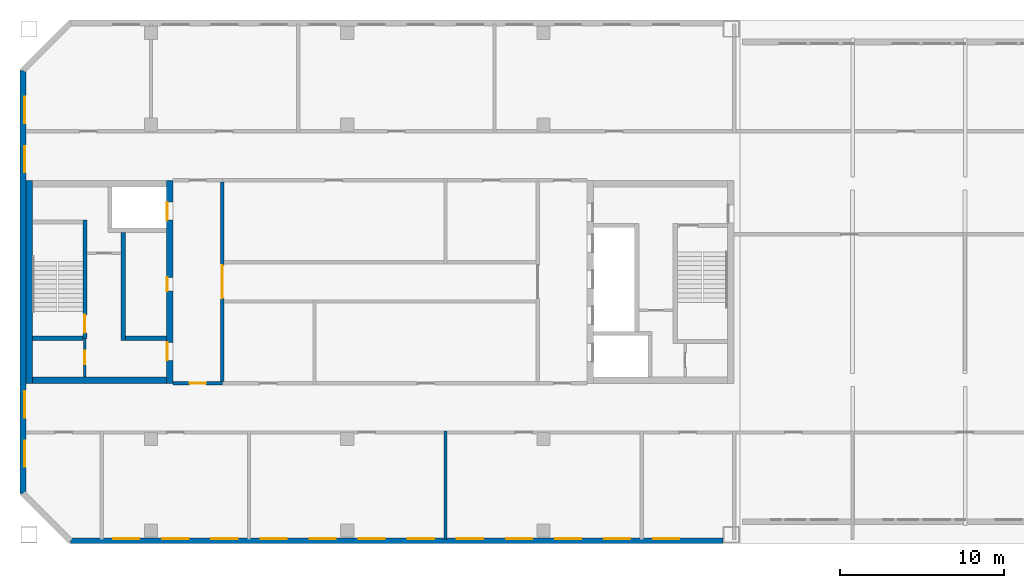
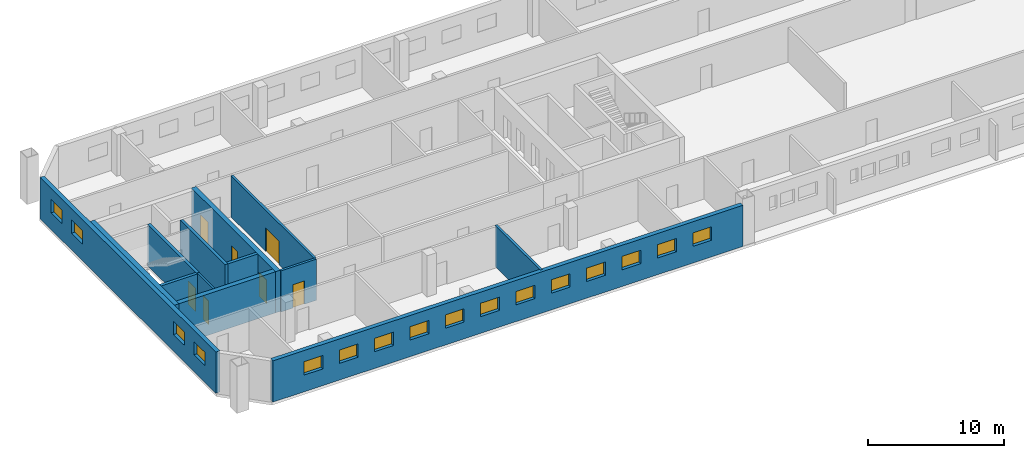
# One storey, part 2 of 13: 16 windows, 13 walls, 7 doors, 23 openings.
"""IFC4 building model written with IfcOpenShell, lengths in metres."""

from ifc_helpers import new_model, si_unit, direction, frame, frame_2d, origin, place, context, subcontext, project, spatial, rectangle, extrude, material, layer, layer_set, type_object, element, fill, save


model = new_model("IFC4")

# Units and contexts
model_context = context("Model", 3, precision=1e-05, world=origin(), true_north=direction((0.0, 1.0)))
body_context = subcontext(model_context, "Body", "Model", "MODEL_VIEW")
ifc_project = project(units=[si_unit("LENGTHUNIT", "METRE"), si_unit("AREAUNIT", "SQUARE_METRE"), si_unit("VOLUMEUNIT", "CUBIC_METRE"), si_unit("PLANEANGLEUNIT", "RADIAN"), si_unit("MASSUNIT", "GRAM", prefix="KILO")], contexts=[model_context])

# Site, building, storey
site_placement = place(None, origin())
site = spatial("IfcSite", under=ifc_project, at=site_placement, CompositionType="ELEMENT")
building_placement = place(site_placement, origin())
building = spatial("IfcBuilding", under=site, at=building_placement, Name="Tuart Gate Housing", CompositionType="ELEMENT")
storey_placement = place(building_placement, frame((0.0, 0.0, 198.60009765625)))
storey = spatial("IfcBuildingStorey", under=building, at=storey_placement, Name="L56", CompositionType="ELEMENT", Elevation=198.60009765625)

# Wall, openings, windows
ifc_material_1 = material(Name="Brick", Category="masonry")
ifc_layer_1 = layer(ifc_material_1, 0.360107421875)
ifc_layer_set_1 = layer_set([ifc_layer_1], Name="Brick pier and spandrel wall 360")
wall_type_1 = type_object("IfcWallType", Name="Brick pier and spandrel wall 360", PredefinedType="STANDARD", material=ifc_layer_set_1)
wall_1_placement = place(storey_placement, frame((35.07470703125, 54.179931640625, 0.0), z_axis=(0.0, 0.0, 1.0), x_axis=(1.0, 0.0, 0.0)))
wall_1 = element("IfcWall", 1, at=wall_1_placement, inside=storey, type_object=wall_type_1, Name="External wall BLK-S L56", PredefinedType="STANDARD", context=body_context, shape_type="SweptSolid", body=[
    extrude(rectangle(XDim=39.875244140625, YDim=0.360107421875, at=frame_2d((19.9375, 0.0))), origin(), (0.0, 0.0, 1.0), 3.699951171875),
])
opening_1_placement = place(wall_1_placement, frame((2.62548828125, 0.0, 1.5)))
opening_1 = element("IfcOpeningElement", 2, at=opening_1_placement, cuts=wall_1, Name="Opening W3", PredefinedType="OPENING", context=body_context, shape_type="SweptSolid", body=[
    extrude(rectangle(XDim=1.60009765625, YDim=1.199951171875, at=frame_2d((0.800048828125, 0.60009765625))), frame((0.0, 0.18994140625, 0.0), z_axis=(0.0, -1.0, 0.0), x_axis=(1.0, 0.0, 0.0)), (0.0, 0.0, 1.0), 0.380126953125),
])
opening_2_placement = place(wall_1_placement, frame((5.62548828125, 0.0, 1.5)))
opening_2 = element("IfcOpeningElement", 3, at=opening_2_placement, cuts=wall_1, Name="Opening W3", PredefinedType="OPENING", context=body_context, shape_type="SweptSolid", body=[
    extrude(rectangle(XDim=1.60009765625, YDim=1.199951171875, at=frame_2d((0.800048828125, 0.60009765625))), frame((0.0, 0.18994140625, 0.0), z_axis=(0.0, -1.0, 0.0), x_axis=(1.0, 0.0, 0.0)), (0.0, 0.0, 1.0), 0.380126953125),
])
opening_3_placement = place(wall_1_placement, frame((8.62548828125, 0.0, 1.5)))
opening_3 = element("IfcOpeningElement", 4, at=opening_3_placement, cuts=wall_1, Name="Opening W3", PredefinedType="OPENING", context=body_context, shape_type="SweptSolid", body=[
    extrude(rectangle(XDim=1.60009765625, YDim=1.199951171875, at=frame_2d((0.800048828125, 0.60009765625))), frame((0.0, 0.18994140625, 0.0), z_axis=(0.0, -1.0, 0.0), x_axis=(1.0, 0.0, 0.0)), (0.0, 0.0, 1.0), 0.380126953125),
])
opening_4_placement = place(wall_1_placement, frame((11.62548828125, 0.0, 1.5)))
opening_4 = element("IfcOpeningElement", 5, at=opening_4_placement, cuts=wall_1, Name="Opening W3", PredefinedType="OPENING", context=body_context, shape_type="SweptSolid", body=[
    extrude(rectangle(XDim=1.60009765625, YDim=1.199951171875, at=frame_2d((0.800048828125, 0.60009765625))), frame((0.0, 0.18994140625, 0.0), z_axis=(0.0, -1.0, 0.0), x_axis=(1.0, 0.0, 0.0)), (0.0, 0.0, 1.0), 0.380126953125),
])
opening_5_placement = place(wall_1_placement, frame((14.62548828125, 0.0, 1.5)))
opening_5 = element("IfcOpeningElement", 6, at=opening_5_placement, cuts=wall_1, Name="Opening W3", PredefinedType="OPENING", context=body_context, shape_type="SweptSolid", body=[
    extrude(rectangle(XDim=1.60009765625, YDim=1.199951171875, at=frame_2d((0.800048828125, 0.60009765625))), frame((0.0, 0.18994140625, 0.0), z_axis=(0.0, -1.0, 0.0), x_axis=(1.0, 0.0, 0.0)), (0.0, 0.0, 1.0), 0.380126953125),
])
opening_6_placement = place(wall_1_placement, frame((17.62548828125, 0.0, 1.5)))
opening_6 = element("IfcOpeningElement", 7, at=opening_6_placement, cuts=wall_1, Name="Opening W3", PredefinedType="OPENING", context=body_context, shape_type="SweptSolid", body=[
    extrude(rectangle(XDim=1.60009765625, YDim=1.199951171875, at=frame_2d((0.800048828125, 0.60009765625))), frame((0.0, 0.18994140625, 0.0), z_axis=(0.0, -1.0, 0.0), x_axis=(1.0, 0.0, 0.0)), (0.0, 0.0, 1.0), 0.380126953125),
])
opening_7_placement = place(wall_1_placement, frame((20.62548828125, 0.0, 1.5)))
opening_7 = element("IfcOpeningElement", 8, at=opening_7_placement, cuts=wall_1, Name="Opening W3", PredefinedType="OPENING", context=body_context, shape_type="SweptSolid", body=[
    extrude(rectangle(XDim=1.60009765625, YDim=1.199951171875, at=frame_2d((0.800048828125, 0.60009765625))), frame((0.0, 0.18994140625, 0.0), z_axis=(0.0, -1.0, 0.0), x_axis=(1.0, 0.0, 0.0)), (0.0, 0.0, 1.0), 0.380126953125),
])
opening_8_placement = place(wall_1_placement, frame((23.62548828125, 0.0, 1.5)))
opening_8 = element("IfcOpeningElement", 9, at=opening_8_placement, cuts=wall_1, Name="Opening W3", PredefinedType="OPENING", context=body_context, shape_type="SweptSolid", body=[
    extrude(rectangle(XDim=1.60009765625, YDim=1.199951171875, at=frame_2d((0.800048828125, 0.60009765625))), frame((0.0, 0.18994140625, 0.0), z_axis=(0.0, -1.0, 0.0), x_axis=(1.0, 0.0, 0.0)), (0.0, 0.0, 1.0), 0.380126953125),
])
opening_9_placement = place(wall_1_placement, frame((26.62548828125, 0.0, 1.5)))
opening_9 = element("IfcOpeningElement", 10, at=opening_9_placement, cuts=wall_1, Name="Opening W3", PredefinedType="OPENING", context=body_context, shape_type="SweptSolid", body=[
    extrude(rectangle(XDim=1.60009765625, YDim=1.199951171875, at=frame_2d((0.800048828125, 0.60009765625))), frame((0.0, 0.18994140625, 0.0), z_axis=(0.0, -1.0, 0.0), x_axis=(1.0, 0.0, 0.0)), (0.0, 0.0, 1.0), 0.380126953125),
])
opening_10_placement = place(wall_1_placement, frame((29.62548828125, 0.0, 1.5)))
opening_10 = element("IfcOpeningElement", 11, at=opening_10_placement, cuts=wall_1, Name="Opening W3", PredefinedType="OPENING", context=body_context, shape_type="SweptSolid", body=[
    extrude(rectangle(XDim=1.60009765625, YDim=1.199951171875, at=frame_2d((0.800048828125, 0.60009765625))), frame((0.0, 0.18994140625, 0.0), z_axis=(0.0, -1.0, 0.0), x_axis=(1.0, 0.0, 0.0)), (0.0, 0.0, 1.0), 0.380126953125),
])
opening_11_placement = place(wall_1_placement, frame((32.62548828125, 0.0, 1.5)))
opening_11 = element("IfcOpeningElement", 12, at=opening_11_placement, cuts=wall_1, Name="Opening W3", PredefinedType="OPENING", context=body_context, shape_type="SweptSolid", body=[
    extrude(rectangle(XDim=1.60009765625, YDim=1.199951171875, at=frame_2d((0.800048828125, 0.60009765625))), frame((0.0, 0.18994140625, 0.0), z_axis=(0.0, -1.0, 0.0), x_axis=(1.0, 0.0, 0.0)), (0.0, 0.0, 1.0), 0.380126953125),
])
opening_12_placement = place(wall_1_placement, frame((35.62548828125, 0.0, 1.5)))
opening_12 = element("IfcOpeningElement", 13, at=opening_12_placement, cuts=wall_1, Name="Opening W3", PredefinedType="OPENING", context=body_context, shape_type="SweptSolid", body=[
    extrude(rectangle(XDim=1.60009765625, YDim=1.199951171875, at=frame_2d((0.800048828125, 0.60009765625))), frame((0.0, 0.18994140625, 0.0), z_axis=(0.0, -1.0, 0.0), x_axis=(1.0, 0.0, 0.0)), (0.0, 0.0, 1.0), 0.380126953125),
])
ifc_material_2 = material(Name="Aluminium louvre blades", Category="aluminium")
window_type = type_object("IfcWindowType", Name="Louvre window 1600 x 1200", PartitioningType="DOUBLE_PANEL_HORIZONTAL", PredefinedType="WINDOW", material=ifc_material_2)
window_1_placement = place(opening_1_placement, origin())
window_1 = element("IfcWindow", 14, at=window_1_placement, inside=storey, type_object=window_type, Name="Louvre W3", OverallHeight=1.199951171875, OverallWidth=1.60009765625, PartitioningType="DOUBLE_PANEL_HORIZONTAL", PredefinedType="WINDOW", context=body_context, shape_type="SweptSolid", body=[
    extrude(rectangle(XDim=1.60009765625, YDim=1.199951171875, at=frame_2d((0.800048828125, 0.60009765625))), frame((0.0, 0.150146484375, 0.0), z_axis=(0.0, -1.0, 0.0), x_axis=(1.0, 0.0, 0.0)), (0.0, 0.0, 1.0), 0.06005859375),
])
fill(opening_1, window_1)
window_2_placement = place(opening_2_placement, origin())
window_2 = element("IfcWindow", 15, at=window_2_placement, inside=storey, type_object=window_type, Name="Louvre W3", OverallHeight=1.199951171875, OverallWidth=1.60009765625, PartitioningType="DOUBLE_PANEL_HORIZONTAL", PredefinedType="WINDOW", context=body_context, shape_type="SweptSolid", body=[
    extrude(rectangle(XDim=1.60009765625, YDim=1.199951171875, at=frame_2d((0.800048828125, 0.60009765625))), frame((0.0, 0.150146484375, 0.0), z_axis=(0.0, -1.0, 0.0), x_axis=(1.0, 0.0, 0.0)), (0.0, 0.0, 1.0), 0.06005859375),
])
fill(opening_2, window_2)
window_3_placement = place(opening_3_placement, origin())
window_3 = element("IfcWindow", 16, at=window_3_placement, inside=storey, type_object=window_type, Name="Louvre W3", OverallHeight=1.199951171875, OverallWidth=1.60009765625, PartitioningType="DOUBLE_PANEL_HORIZONTAL", PredefinedType="WINDOW", context=body_context, shape_type="SweptSolid", body=[
    extrude(rectangle(XDim=1.60009765625, YDim=1.199951171875, at=frame_2d((0.800048828125, 0.60009765625))), frame((0.0, 0.150146484375, 0.0), z_axis=(0.0, -1.0, 0.0), x_axis=(1.0, 0.0, 0.0)), (0.0, 0.0, 1.0), 0.06005859375),
])
fill(opening_3, window_3)
window_4_placement = place(opening_4_placement, origin())
window_4 = element("IfcWindow", 17, at=window_4_placement, inside=storey, type_object=window_type, Name="Louvre W3", OverallHeight=1.199951171875, OverallWidth=1.60009765625, PartitioningType="DOUBLE_PANEL_HORIZONTAL", PredefinedType="WINDOW", context=body_context, shape_type="SweptSolid", body=[
    extrude(rectangle(XDim=1.60009765625, YDim=1.199951171875, at=frame_2d((0.800048828125, 0.60009765625))), frame((0.0, 0.150146484375, 0.0), z_axis=(0.0, -1.0, 0.0), x_axis=(1.0, 0.0, 0.0)), (0.0, 0.0, 1.0), 0.06005859375),
])
fill(opening_4, window_4)
window_5_placement = place(opening_5_placement, origin())
window_5 = element("IfcWindow", 18, at=window_5_placement, inside=storey, type_object=window_type, Name="Louvre W3", OverallHeight=1.199951171875, OverallWidth=1.60009765625, PartitioningType="DOUBLE_PANEL_HORIZONTAL", PredefinedType="WINDOW", context=body_context, shape_type="SweptSolid", body=[
    extrude(rectangle(XDim=1.60009765625, YDim=1.199951171875, at=frame_2d((0.800048828125, 0.60009765625))), frame((0.0, 0.150146484375, 0.0), z_axis=(0.0, -1.0, 0.0), x_axis=(1.0, 0.0, 0.0)), (0.0, 0.0, 1.0), 0.06005859375),
])
fill(opening_5, window_5)
window_6_placement = place(opening_6_placement, origin())
window_6 = element("IfcWindow", 19, at=window_6_placement, inside=storey, type_object=window_type, Name="Louvre W3", OverallHeight=1.199951171875, OverallWidth=1.60009765625, PartitioningType="DOUBLE_PANEL_HORIZONTAL", PredefinedType="WINDOW", context=body_context, shape_type="SweptSolid", body=[
    extrude(rectangle(XDim=1.60009765625, YDim=1.199951171875, at=frame_2d((0.800048828125, 0.60009765625))), frame((0.0, 0.150146484375, 0.0), z_axis=(0.0, -1.0, 0.0), x_axis=(1.0, 0.0, 0.0)), (0.0, 0.0, 1.0), 0.06005859375),
])
fill(opening_6, window_6)
window_7_placement = place(opening_7_placement, origin())
window_7 = element("IfcWindow", 20, at=window_7_placement, inside=storey, type_object=window_type, Name="Louvre W3", OverallHeight=1.199951171875, OverallWidth=1.60009765625, PartitioningType="DOUBLE_PANEL_HORIZONTAL", PredefinedType="WINDOW", context=body_context, shape_type="SweptSolid", body=[
    extrude(rectangle(XDim=1.60009765625, YDim=1.199951171875, at=frame_2d((0.800048828125, 0.60009765625))), frame((0.0, 0.150146484375, 0.0), z_axis=(0.0, -1.0, 0.0), x_axis=(1.0, 0.0, 0.0)), (0.0, 0.0, 1.0), 0.06005859375),
])
fill(opening_7, window_7)
window_8_placement = place(opening_8_placement, origin())
window_8 = element("IfcWindow", 21, at=window_8_placement, inside=storey, type_object=window_type, Name="Louvre W3", OverallHeight=1.199951171875, OverallWidth=1.60009765625, PartitioningType="DOUBLE_PANEL_HORIZONTAL", PredefinedType="WINDOW", context=body_context, shape_type="SweptSolid", body=[
    extrude(rectangle(XDim=1.60009765625, YDim=1.199951171875, at=frame_2d((0.800048828125, 0.60009765625))), frame((0.0, 0.150146484375, 0.0), z_axis=(0.0, -1.0, 0.0), x_axis=(1.0, 0.0, 0.0)), (0.0, 0.0, 1.0), 0.06005859375),
])
fill(opening_8, window_8)
window_9_placement = place(opening_9_placement, origin())
window_9 = element("IfcWindow", 22, at=window_9_placement, inside=storey, type_object=window_type, Name="Louvre W3", OverallHeight=1.199951171875, OverallWidth=1.60009765625, PartitioningType="DOUBLE_PANEL_HORIZONTAL", PredefinedType="WINDOW", context=body_context, shape_type="SweptSolid", body=[
    extrude(rectangle(XDim=1.60009765625, YDim=1.199951171875, at=frame_2d((0.800048828125, 0.60009765625))), frame((0.0, 0.150146484375, 0.0), z_axis=(0.0, -1.0, 0.0), x_axis=(1.0, 0.0, 0.0)), (0.0, 0.0, 1.0), 0.06005859375),
])
fill(opening_9, window_9)
window_10_placement = place(opening_10_placement, origin())
window_10 = element("IfcWindow", 23, at=window_10_placement, inside=storey, type_object=window_type, Name="Louvre W3", OverallHeight=1.199951171875, OverallWidth=1.60009765625, PartitioningType="DOUBLE_PANEL_HORIZONTAL", PredefinedType="WINDOW", context=body_context, shape_type="SweptSolid", body=[
    extrude(rectangle(XDim=1.60009765625, YDim=1.199951171875, at=frame_2d((0.800048828125, 0.60009765625))), frame((0.0, 0.150146484375, 0.0), z_axis=(0.0, -1.0, 0.0), x_axis=(1.0, 0.0, 0.0)), (0.0, 0.0, 1.0), 0.06005859375),
])
fill(opening_10, window_10)
window_11_placement = place(opening_11_placement, origin())
window_11 = element("IfcWindow", 24, at=window_11_placement, inside=storey, type_object=window_type, Name="Louvre W3", OverallHeight=1.199951171875, OverallWidth=1.60009765625, PartitioningType="DOUBLE_PANEL_HORIZONTAL", PredefinedType="WINDOW", context=body_context, shape_type="SweptSolid", body=[
    extrude(rectangle(XDim=1.60009765625, YDim=1.199951171875, at=frame_2d((0.800048828125, 0.60009765625))), frame((0.0, 0.150146484375, 0.0), z_axis=(0.0, -1.0, 0.0), x_axis=(1.0, 0.0, 0.0)), (0.0, 0.0, 1.0), 0.06005859375),
])
fill(opening_11, window_11)
window_12_placement = place(opening_12_placement, origin())
window_12 = element("IfcWindow", 25, at=window_12_placement, inside=storey, type_object=window_type, Name="Louvre W3", OverallHeight=1.199951171875, OverallWidth=1.60009765625, PartitioningType="DOUBLE_PANEL_HORIZONTAL", PredefinedType="WINDOW", context=body_context, shape_type="SweptSolid", body=[
    extrude(rectangle(XDim=1.60009765625, YDim=1.199951171875, at=frame_2d((0.800048828125, 0.60009765625))), frame((0.0, 0.150146484375, 0.0), z_axis=(0.0, -1.0, 0.0), x_axis=(1.0, 0.0, 0.0)), (0.0, 0.0, 1.0), 0.06005859375),
])
fill(opening_12, window_12)

wall_2_placement = place(storey_placement, frame((32.179931640625, 82.92529296875, 0.0), z_axis=(0.0, 0.0, 1.0), x_axis=(0.0, -1.0, 0.0)))
wall_2 = element("IfcWall", 26, at=wall_2_placement, inside=storey, type_object=wall_type_1, Name="External wall BLK-W L56", PredefinedType="STANDARD", context=body_context, shape_type="SweptSolid", body=[
    extrude(rectangle(XDim=25.850830078125, YDim=0.360107421875, at=frame_2d((12.92529296875, 0.0))), origin(), (0.0, 0.0, 1.0), 3.699951171875),
])
opening_13_placement = place(wall_2_placement, frame((1.62548828125, 0.0, 1.5)))
opening_13 = element("IfcOpeningElement", 27, at=opening_13_placement, cuts=wall_2, Name="Opening W3", PredefinedType="OPENING", context=body_context, shape_type="SweptSolid", body=[
    extrude(rectangle(XDim=1.60009765625, YDim=1.199951171875, at=frame_2d((0.800048828125, 0.60009765625))), frame((0.0, 0.18994140625, 0.0), z_axis=(0.0, -1.0, 0.0), x_axis=(1.0, 0.0, 0.0)), (0.0, 0.0, 1.0), 0.380126953125),
])
opening_14_placement = place(wall_2_placement, frame((4.62548828125, 0.0, 1.5)))
opening_14 = element("IfcOpeningElement", 28, at=opening_14_placement, cuts=wall_2, Name="Opening W3", PredefinedType="OPENING", context=body_context, shape_type="SweptSolid", body=[
    extrude(rectangle(XDim=1.60009765625, YDim=1.199951171875, at=frame_2d((0.800048828125, 0.60009765625))), frame((0.0, 0.18994140625, 0.0), z_axis=(0.0, -1.0, 0.0), x_axis=(1.0, 0.0, 0.0)), (0.0, 0.0, 1.0), 0.380126953125),
])
opening_15_placement = place(wall_2_placement, frame((19.62548828125, 0.0, 1.5)))
opening_15 = element("IfcOpeningElement", 29, at=opening_15_placement, cuts=wall_2, Name="Opening W3", PredefinedType="OPENING", context=body_context, shape_type="SweptSolid", body=[
    extrude(rectangle(XDim=1.60009765625, YDim=1.199951171875, at=frame_2d((0.800048828125, 0.60009765625))), frame((0.0, 0.18994140625, 0.0), z_axis=(0.0, -1.0, 0.0), x_axis=(1.0, 0.0, 0.0)), (0.0, 0.0, 1.0), 0.380126953125),
])
opening_16_placement = place(wall_2_placement, frame((22.62548828125, 0.0, 1.5)))
opening_16 = element("IfcOpeningElement", 30, at=opening_16_placement, cuts=wall_2, Name="Opening W3", PredefinedType="OPENING", context=body_context, shape_type="SweptSolid", body=[
    extrude(rectangle(XDim=1.60009765625, YDim=1.199951171875, at=frame_2d((0.800048828125, 0.60009765625))), frame((0.0, 0.18994140625, 0.0), z_axis=(0.0, -1.0, 0.0), x_axis=(1.0, 0.0, 0.0)), (0.0, 0.0, 1.0), 0.380126953125),
])
window_13_placement = place(opening_13_placement, origin())
window_13 = element("IfcWindow", 31, at=window_13_placement, inside=storey, type_object=window_type, Name="Louvre W3", OverallHeight=1.199951171875, OverallWidth=1.60009765625, PartitioningType="DOUBLE_PANEL_HORIZONTAL", PredefinedType="WINDOW", context=body_context, shape_type="SweptSolid", body=[
    extrude(rectangle(XDim=1.60009765625, YDim=1.199951171875, at=frame_2d((0.800048828125, 0.60009765625))), frame((0.0, 0.150146484375, 0.0), z_axis=(0.0, -1.0, 0.0), x_axis=(1.0, 0.0, 0.0)), (0.0, 0.0, 1.0), 0.06005859375),
])
fill(opening_13, window_13)
window_14_placement = place(opening_14_placement, origin())
window_14 = element("IfcWindow", 32, at=window_14_placement, inside=storey, type_object=window_type, Name="Louvre W3", OverallHeight=1.199951171875, OverallWidth=1.60009765625, PartitioningType="DOUBLE_PANEL_HORIZONTAL", PredefinedType="WINDOW", context=body_context, shape_type="SweptSolid", body=[
    extrude(rectangle(XDim=1.60009765625, YDim=1.199951171875, at=frame_2d((0.800048828125, 0.60009765625))), frame((0.0, 0.150146484375, 0.0), z_axis=(0.0, -1.0, 0.0), x_axis=(1.0, 0.0, 0.0)), (0.0, 0.0, 1.0), 0.06005859375),
])
fill(opening_14, window_14)
window_15_placement = place(opening_15_placement, origin())
window_15 = element("IfcWindow", 33, at=window_15_placement, inside=storey, type_object=window_type, Name="Louvre W3", OverallHeight=1.199951171875, OverallWidth=1.60009765625, PartitioningType="DOUBLE_PANEL_HORIZONTAL", PredefinedType="WINDOW", context=body_context, shape_type="SweptSolid", body=[
    extrude(rectangle(XDim=1.60009765625, YDim=1.199951171875, at=frame_2d((0.800048828125, 0.60009765625))), frame((0.0, 0.150146484375, 0.0), z_axis=(0.0, -1.0, 0.0), x_axis=(1.0, 0.0, 0.0)), (0.0, 0.0, 1.0), 0.06005859375),
])
fill(opening_15, window_15)
window_16_placement = place(opening_16_placement, origin())
window_16 = element("IfcWindow", 34, at=window_16_placement, inside=storey, type_object=window_type, Name="Louvre W3", OverallHeight=1.199951171875, OverallWidth=1.60009765625, PartitioningType="DOUBLE_PANEL_HORIZONTAL", PredefinedType="WINDOW", context=body_context, shape_type="SweptSolid", body=[
    extrude(rectangle(XDim=1.60009765625, YDim=1.199951171875, at=frame_2d((0.800048828125, 0.60009765625))), frame((0.0, 0.150146484375, 0.0), z_axis=(0.0, -1.0, 0.0), x_axis=(1.0, 0.0, 0.0)), (0.0, 0.0, 1.0), 0.06005859375),
])
fill(opening_16, window_16)

# Wall, opening, door
ifc_material_3 = material(Name="Plasterboard partition")
ifc_layer_2 = layer(ifc_material_3, 0.14990234375)
ifc_layer_set_2 = layer_set([ifc_layer_2], Name="Core partition 150")
wall_type_2 = type_object("IfcWallType", Name="Core partition 150", PredefinedType="PARTITIONING", material=ifc_layer_set_2)
wall_3_placement = place(storey_placement, frame((35.9599609375, 66.550048828125, 0.0), z_axis=(0.0, 0.0, 1.0), x_axis=(0.0, -1.0, 0.0)))
wall_3 = element("IfcWall", 35, at=wall_3_placement, inside=storey, type_object=wall_type_2, Name="Core partition AK.9", PredefinedType="PARTITIONING", context=body_context, shape_type="SweptSolid", body=[
    extrude(rectangle(XDim=2.35009765625, YDim=0.14990234375, at=frame_2d((1.175048828125, 0.0))), origin(), (0.0, 0.0, 1.0), 3.699951171875),
])
opening_17_placement = place(wall_3_placement, frame((0.75, 0.0, 0.0)))
opening_17 = element("IfcOpeningElement", 36, at=opening_17_placement, cuts=wall_3, Name="Opening D3580", PredefinedType="OPENING", context=body_context, shape_type="SweptSolid", body=[
    extrude(rectangle(XDim=0.85009765625, YDim=2.10009765625, at=frame_2d((0.425048828125, 1.050048828125))), frame((0.0, 0.0849609375, 0.0), z_axis=(0.0, -1.0, 0.0), x_axis=(1.0, 0.0, 0.0)), (0.0, 0.0, 1.0), 0.169921875),
])
ifc_material_4 = material(Name="Steel fire door", Category="steel")
door_type_1 = type_object("IfcDoorType", Name="Service door 850 x 2100 RH", OperationType="SINGLE_SWING_RIGHT", PredefinedType="DOOR", material=ifc_material_4)
door_1_placement = place(opening_17_placement, frame((0.85009765625, 0.0, 0.0), z_axis=(0.0, 0.0, 1.0), x_axis=(-1.0, 0.0, 0.0)))
door_1 = element("IfcDoor", 37, at=door_1_placement, inside=storey, type_object=door_type_1, Name="Service room door AK.ST", OperationType="SINGLE_SWING_RIGHT", OverallHeight=2.10009765625, OverallWidth=0.85009765625, PredefinedType="DOOR", context=body_context, shape_type="SweptSolid", body=[
    extrude(rectangle(XDim=0.85009765625, YDim=2.10009765625, at=frame_2d((0.425048828125, 1.050048828125))), frame((0.0, 0.025146484375, 0.0), z_axis=(0.0, -1.0, 0.0), x_axis=(1.0, 0.0, 0.0)), (0.0, 0.0, 1.0), 0.050048828125),
])
fill(opening_17, door_1)

# Walls
ifc_material_5 = material(Name="Concrete C40", Category="concrete")
ifc_layer_3 = layer(ifc_material_5, 0.25)
ifc_layer_set_3 = layer_set([ifc_layer_3], Name="Core wall 250 C40")
wall_type_3 = type_object("IfcWallType", Name="Core wall 250 C40", PredefinedType="SHEAR", material=ifc_layer_set_3)
wall_4_placement = place(storey_placement, frame((40.9599609375, 66.550048828125, 0.0), z_axis=(0.0, 0.0, 1.0), x_axis=(-1.0, 0.0, 0.0)))
element("IfcWall", 38, at=wall_4_placement, inside=storey, type_object=wall_type_3, Name="Core wall AK.4", PredefinedType="SHEAR", context=body_context, shape_type="SweptSolid", body=[
    extrude(rectangle(XDim=2.52490234375, YDim=0.25, at=frame_2d((1.262451171875, 0.0))), origin(), (0.0, 0.0, 1.0), 3.699951171875),
])
wall_5_placement = place(storey_placement, frame((35.8349609375, 66.550048828125, 0.0), z_axis=(0.0, 0.0, 1.0), x_axis=(-1.0, 0.0, 0.0)))
element("IfcWall", 39, at=wall_5_placement, inside=storey, type_object=wall_type_3, Name="Core wall AK.5", PredefinedType="SHEAR", context=body_context, shape_type="SweptSolid", body=[
    extrude(rectangle(XDim=3.074951171875, YDim=0.25, at=frame_2d((1.53759765625, 0.0))), origin(), (0.0, 0.0, 1.0), 3.699951171875),
])
wall_6_placement = place(storey_placement, frame((38.31005859375, 73.02490234375, 0.0), z_axis=(0.0, 0.0, 1.0), x_axis=(0.0, -1.0, 0.0)))
element("IfcWall", 40, at=wall_6_placement, inside=storey, type_object=wall_type_3, Name="Core wall AK.6", PredefinedType="SHEAR", context=body_context, shape_type="SweptSolid", body=[
    extrude(rectangle(XDim=6.599853515625, YDim=0.25, at=frame_2d((3.2998046875, 0.0))), origin(), (0.0, 0.0, 1.0), 3.699951171875),
])

# Wall, opening, door
wall_7_placement = place(storey_placement, frame((35.9599609375, 73.77490234375, 0.0), z_axis=(0.0, 0.0, 1.0), x_axis=(0.0, -1.0, 0.0)))
wall_7 = element("IfcWall", 41, at=wall_7_placement, inside=storey, type_object=wall_type_3, Name="Core wall AK.8", PredefinedType="SHEAR", context=body_context, shape_type="SweptSolid", body=[
    extrude(rectangle(XDim=7.224853515625, YDim=0.25, at=frame_2d((3.6123046875, 0.0))), origin(), (0.0, 0.0, 1.0), 3.699951171875),
])
opening_18_placement = place(wall_7_placement, frame((5.800048828125, 0.0, 0.0)))
opening_18 = element("IfcOpeningElement", 42, at=opening_18_placement, cuts=wall_7, Name="Opening D3572", PredefinedType="OPENING", context=body_context, shape_type="SweptSolid", body=[
    extrude(rectangle(XDim=1.10009765625, YDim=2.10009765625, at=frame_2d((0.550048828125, 1.050048828125))), frame((0.0, 0.135009765625, 0.0), z_axis=(0.0, -1.0, 0.0), x_axis=(1.0, 0.0, 0.0)), (0.0, 0.0, 1.0), 0.27001953125),
])
ifc_material_6 = material(Name="Steel fire door", Category="steel")
door_type_2 = type_object("IfcDoorType", Name="Stair door 1100 x 2100", OperationType="SINGLE_SWING_LEFT", PredefinedType="DOOR", material=ifc_material_6)
door_2_placement = place(opening_18_placement, frame((1.10009765625, 0.0, 0.0), z_axis=(0.0, 0.0, 1.0), x_axis=(-1.0, 0.0, 0.0)))
door_2 = element("IfcDoor", 43, at=door_2_placement, inside=storey, type_object=door_type_2, Name="Stair door AK.SD", OperationType="SINGLE_SWING_LEFT", OverallHeight=2.10009765625, OverallWidth=1.10009765625, PredefinedType="DOOR", context=body_context, shape_type="SweptSolid", body=[
    extrude(rectangle(XDim=1.10009765625, YDim=2.10009765625, at=frame_2d((0.550048828125, 1.050048828125))), frame((0.0, 0.025146484375, 0.0), z_axis=(0.0, -1.0, 0.0), x_axis=(1.0, 0.0, 0.0)), (0.0, 0.0, 1.0), 0.050048828125),
])
fill(opening_18, door_2)

# Wall, openings, doors
ifc_material_7 = material(Name="Concrete C40", Category="concrete")
ifc_layer_4 = layer(ifc_material_7, 0.39990234375)
ifc_layer_set_4 = layer_set([ifc_layer_4], Name="Core wall 400 C40")
wall_type_4 = type_object("IfcWallType", Name="Core wall 400 C40", PredefinedType="SHEAR", material=ifc_layer_set_4)
wall_8_placement = place(storey_placement, frame((41.159912109375, 76.199951171875, 0.0), z_axis=(0.0, 0.0, 1.0), x_axis=(0.0, -1.0, 0.0)))
wall_8 = element("IfcWall", 44, at=wall_8_placement, inside=storey, type_object=wall_type_4, Name="Core wall AK front", PredefinedType="SHEAR", context=body_context, shape_type="SweptSolid", body=[
    extrude(rectangle(XDim=12.39990234375, YDim=0.39990234375, at=frame_2d((6.199951171875, 0.0))), origin(), (0.0, 0.0, 1.0), 3.699951171875),
])
opening_19_placement = place(wall_8_placement, frame((1.324951171875, 0.0, 0.0)))
opening_19 = element("IfcOpeningElement", 45, at=opening_19_placement, cuts=wall_8, Name="Opening LD-FA2", PredefinedType="OPENING", context=body_context, shape_type="SweptSolid", body=[
    extrude(rectangle(XDim=1.10009765625, YDim=2.10009765625, at=frame_2d((0.550048828125, 1.050048828125))), frame((0.0, 0.2099609375, 0.0), z_axis=(0.0, -1.0, 0.0), x_axis=(1.0, 0.0, 0.0)), (0.0, 0.0, 1.0), 0.419921875),
])
opening_20_placement = place(wall_8_placement, frame((5.925048828125, 0.0, 0.0)))
opening_20 = element("IfcOpeningElement", 46, at=opening_20_placement, cuts=wall_8, Name="Opening D3574", PredefinedType="OPENING", context=body_context, shape_type="SweptSolid", body=[
    extrude(rectangle(XDim=0.85009765625, YDim=2.10009765625, at=frame_2d((0.425048828125, 1.050048828125))), frame((0.0, 0.2099609375, 0.0), z_axis=(0.0, -1.0, 0.0), x_axis=(1.0, 0.0, 0.0)), (0.0, 0.0, 1.0), 0.419921875),
])
opening_21_placement = place(wall_8_placement, frame((9.89990234375, 0.0, 0.0)))
opening_21 = element("IfcOpeningElement", 47, at=opening_21_placement, cuts=wall_8, Name="Opening D3573", PredefinedType="OPENING", context=body_context, shape_type="SweptSolid", body=[
    extrude(rectangle(XDim=1.10009765625, YDim=2.10009765625, at=frame_2d((0.550048828125, 1.050048828125))), frame((0.0, 0.2099609375, 0.0), z_axis=(0.0, -1.0, 0.0), x_axis=(1.0, 0.0, 0.0)), (0.0, 0.0, 1.0), 0.419921875),
])
ifc_material_8 = material(Name="Stainless steel", Category="steel")
door_type_3 = type_object("IfcDoorType", Name="Landing door 1100 x 2100", OperationType="DOUBLE_DOOR_SLIDING", PredefinedType="DOOR", material=ifc_material_8)
door_3_placement = place(opening_19_placement, origin())
door_3 = element("IfcDoor", 48, at=door_3_placement, inside=storey, type_object=door_type_3, Name="Lift landing door FA2", OperationType="DOUBLE_DOOR_SLIDING", OverallHeight=2.10009765625, OverallWidth=1.10009765625, PredefinedType="DOOR", context=body_context, shape_type="SweptSolid", body=[
    extrude(rectangle(XDim=1.10009765625, YDim=2.10009765625, at=frame_2d((0.550048828125, 1.050048828125))), frame((0.0, -0.134765625, 0.0), z_axis=(0.0, -1.0, 0.0), x_axis=(1.0, 0.0, 0.0)), (0.0, 0.0, 1.0), 0.050048828125),
])
fill(opening_19, door_3)
ifc_material_9 = material(Name="Steel fire door", Category="steel")
door_type_4 = type_object("IfcDoorType", Name="Lobby door 1100 x 2100 RH", OperationType="SINGLE_SWING_RIGHT", PredefinedType="DOOR", material=ifc_material_9)
door_4_placement = place(opening_21_placement, frame((1.10009765625, 0.0, 0.0), z_axis=(0.0, 0.0, 1.0), x_axis=(-1.0, 0.0, 0.0)))
door_4 = element("IfcDoor", 49, at=door_4_placement, inside=storey, type_object=door_type_4, Name="Lobby entry door AK.EN", OperationType="SINGLE_SWING_RIGHT", OverallHeight=2.10009765625, OverallWidth=1.10009765625, PredefinedType="DOOR", context=body_context, shape_type="SweptSolid", body=[
    extrude(rectangle(XDim=1.10009765625, YDim=2.10009765625, at=frame_2d((0.550048828125, 1.050048828125))), frame((0.0, 0.184814453125, 0.0), z_axis=(0.0, -1.0, 0.0), x_axis=(1.0, 0.0, 0.0)), (0.0, 0.0, 1.0), 0.050048828125),
])
fill(opening_21, door_4)
door_5_placement = place(opening_20_placement, frame((0.85009765625, 0.0, 0.0), z_axis=(0.0, 0.0, 1.0), x_axis=(-1.0, 0.0, 0.0)))
door_5 = element("IfcDoor", 50, at=door_5_placement, inside=storey, type_object=door_type_1, Name="Service room door AK.FR1", OperationType="SINGLE_SWING_RIGHT", OverallHeight=2.10009765625, OverallWidth=0.85009765625, PredefinedType="DOOR", context=body_context, shape_type="SweptSolid", body=[
    extrude(rectangle(XDim=0.85009765625, YDim=2.10009765625, at=frame_2d((0.425048828125, 1.050048828125))), frame((0.0, 0.184814453125, 0.0), z_axis=(0.0, -1.0, 0.0), x_axis=(1.0, 0.0, 0.0)), (0.0, 0.0, 1.0), 0.050048828125),
])
fill(opening_20, door_5)

# Walls
wall_9_placement = place(storey_placement, frame((32.56005859375, 76.199951171875, 0.0), z_axis=(0.0, 0.0, 1.0), x_axis=(0.0, -1.0, 0.0)))
element("IfcWall", 51, at=wall_9_placement, inside=storey, type_object=wall_type_4, Name="Core wall AK back", PredefinedType="SHEAR", context=body_context, shape_type="SweptSolid", body=[
    extrude(rectangle(XDim=12.39990234375, YDim=0.39990234375, at=frame_2d((6.199951171875, 0.0))), origin(), (0.0, 0.0, 1.0), 3.699951171875),
])
wall_10_placement = place(storey_placement, frame((40.9599609375, 64.0, 0.0), z_axis=(0.0, 0.0, 1.0), x_axis=(-1.0, 0.0, 0.0)))
element("IfcWall", 52, at=wall_10_placement, inside=storey, type_object=wall_type_4, Name="Core wall AK north", PredefinedType="SHEAR", context=body_context, shape_type="SweptSolid", body=[
    extrude(rectangle(XDim=8.199951171875, YDim=0.39990234375, at=frame_2d((4.10009765625, 0.0))), origin(), (0.0, 0.0, 1.0), 3.699951171875),
])

# Wall, opening, door
ifc_material_10 = material(Name="Concrete masonry 15 MPa", Category="masonry")
ifc_layer_5 = layer(ifc_material_10, 0.199951171875)
ifc_layer_set_5 = layer_set([ifc_layer_5], Name="Enclosure wall masonry 200")
wall_type_5 = type_object("IfcWallType", Name="Enclosure wall masonry 200", PredefinedType="PARTITIONING", material=ifc_layer_set_5)
wall_11_placement = place(storey_placement, frame((41.360107421875, 63.800048828125, 0.0), z_axis=(0.0, 0.0, 1.0), x_axis=(1.0, 0.0, 0.0)))
wall_11 = element("IfcWall", 53, at=wall_11_placement, inside=storey, type_object=wall_type_5, Name="Enclosure wall masonry 200", PredefinedType="PARTITIONING", context=body_context, shape_type="SweptSolid", body=[
    extrude(rectangle(XDim=3.0, YDim=0.199951171875, at=frame_2d((1.5, 0.0))), origin(), (0.0, 0.0, 1.0), 3.699951171875),
])
opening_22_placement = place(wall_11_placement, frame((1.0, 0.0, 0.0)))
opening_22 = element("IfcOpeningElement", 54, at=opening_22_placement, cuts=wall_11, Name="Opening D3582", PredefinedType="OPENING", context=body_context, shape_type="SweptSolid", body=[
    extrude(rectangle(XDim=1.0, YDim=2.10009765625, at=frame_2d((0.5, 1.050048828125))), frame((0.0, 0.10986328125, 0.0), z_axis=(0.0, -1.0, 0.0), x_axis=(1.0, 0.0, 0.0)), (0.0, 0.0, 1.0), 0.219970703125),
])
ifc_material_11 = material(Name="Timber door leaf in steel frame", Category="steel")
door_type_5 = type_object("IfcDoorType", Name="Lobby door 1000 RH", OperationType="SINGLE_SWING_RIGHT", PredefinedType="DOOR", material=ifc_material_11)
door_6_placement = place(opening_22_placement, origin())
door_6 = element("IfcDoor", 55, at=door_6_placement, inside=storey, type_object=door_type_5, Name="Lobby door 1000", OperationType="SINGLE_SWING_RIGHT", OverallHeight=2.10009765625, OverallWidth=1.0, PredefinedType="DOOR", context=body_context, shape_type="SweptSolid", body=[
    extrude(rectangle(XDim=1.0, YDim=2.10009765625, at=frame_2d((0.5, 1.050048828125))), frame((0.0, 0.02490234375, 0.0), z_axis=(0.0, -1.0, 0.0), x_axis=(1.0, 0.0, 0.0)), (0.0, 0.0, 1.0), 0.050048828125),
])
fill(opening_22, door_6)

# Wall
wall_12_placement = place(storey_placement, frame((58.0, 54.239990234375, 0.0), z_axis=(0.0, 0.0, 1.0), x_axis=(0.0, 1.0, 0.0)))
element("IfcWall", 56, at=wall_12_placement, inside=storey, type_object=wall_type_5, Name="Enclosure wall masonry 200", PredefinedType="PARTITIONING", context=body_context, shape_type="SweptSolid", body=[
    extrude(rectangle(XDim=6.659912109375, YDim=0.199951171875, at=frame_2d((3.330078125, 0.0))), origin(), (0.0, 0.0, 1.0), 3.699951171875),
])

# Wall, opening, door
ifc_material_12 = material(Name="Plasterboard partition")
ifc_layer_6 = layer(ifc_material_12, 0.199951171875)
ifc_layer_set_6 = layer_set([ifc_layer_6], Name="Lobby wall 200")
wall_type_6 = type_object("IfcWallType", Name="Lobby wall 200", PredefinedType="PARTITIONING", material=ifc_layer_set_6)
wall_13_placement = place(storey_placement, frame((44.360107421875, 63.89990234375, 0.0), z_axis=(0.0, 0.0, 1.0), x_axis=(0.0, 1.0, 0.0)))
wall_13 = element("IfcWall", 57, at=wall_13_placement, inside=storey, type_object=wall_type_6, Name="Lift lobby wall AK", PredefinedType="PARTITIONING", context=body_context, shape_type="SweptSolid", body=[
    extrude(rectangle(XDim=12.2001953125, YDim=0.199951171875, at=frame_2d((6.10009765625, 0.0))), origin(), (0.0, 0.0, 1.0), 3.699951171875),
])
opening_23_placement = place(wall_13_placement, frame((5.10009765625, 0.0, 0.0)))
opening_23 = element("IfcOpeningElement", 58, at=opening_23_placement, cuts=wall_13, Name="Opening D3575", PredefinedType="OPENING", context=body_context, shape_type="SweptSolid", body=[
    extrude(rectangle(XDim=2.0, YDim=2.10009765625, at=frame_2d((1.0, 1.050048828125))), frame((0.0, 0.10986328125, 0.0), z_axis=(0.0, -1.0, 0.0), x_axis=(1.0, 0.0, 0.0)), (0.0, 0.0, 1.0), 0.219970703125),
])
ifc_material_13 = material(Name="Steel fire door", Category="steel")
door_type_6 = type_object("IfcDoorType", Name="Smoke door 2000 x 2100", OperationType="DOUBLE_DOOR_SINGLE_SWING", PredefinedType="DOOR", material=ifc_material_13)
door_7_placement = place(opening_23_placement, origin())
door_7 = element("IfcDoor", 59, at=door_7_placement, inside=storey, type_object=door_type_6, Name="Lift lobby smoke door AK", OperationType="DOUBLE_DOOR_SINGLE_SWING", OverallHeight=2.10009765625, OverallWidth=2.0, PredefinedType="DOOR", context=body_context, shape_type="SweptSolid", body=[
    extrude(rectangle(XDim=2.0, YDim=2.10009765625, at=frame_2d((1.0, 1.050048828125))), frame((0.0, 0.02490234375, 0.0), z_axis=(0.0, -1.0, 0.0), x_axis=(1.0, 0.0, 0.0)), (0.0, 0.0, 1.0), 0.050048828125),
])
fill(opening_23, door_7)

save(model, "model.ifc")
